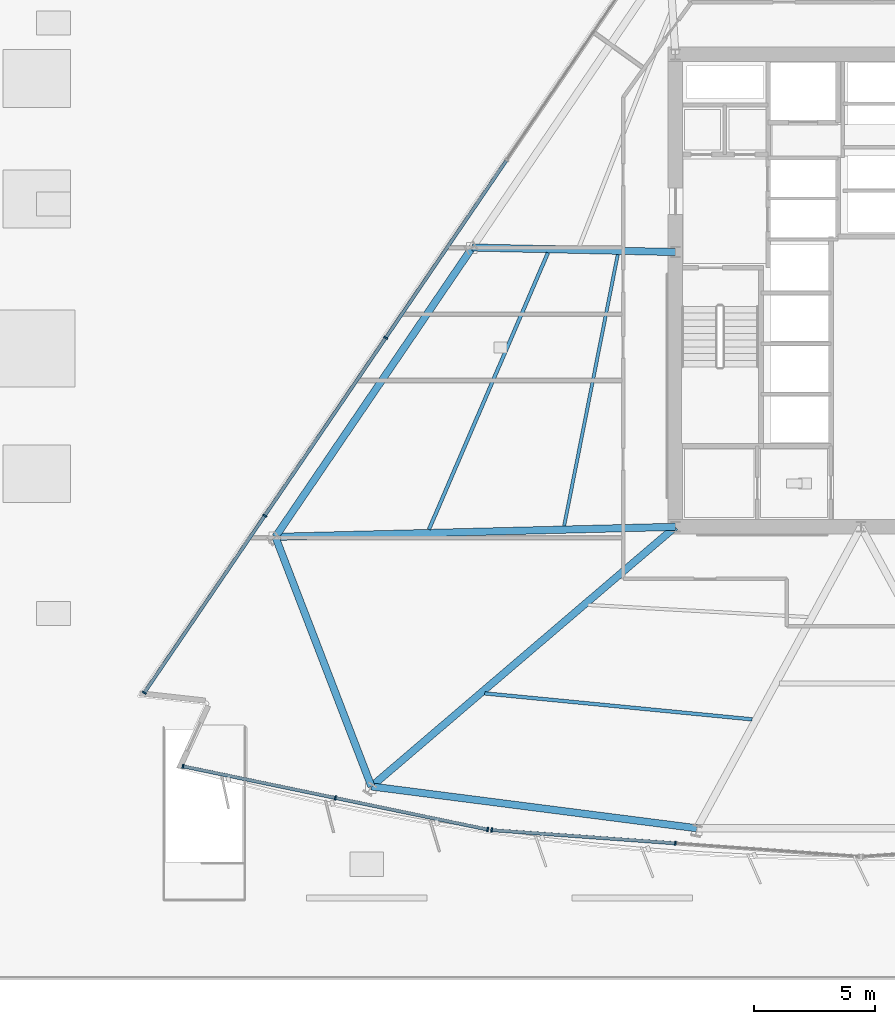
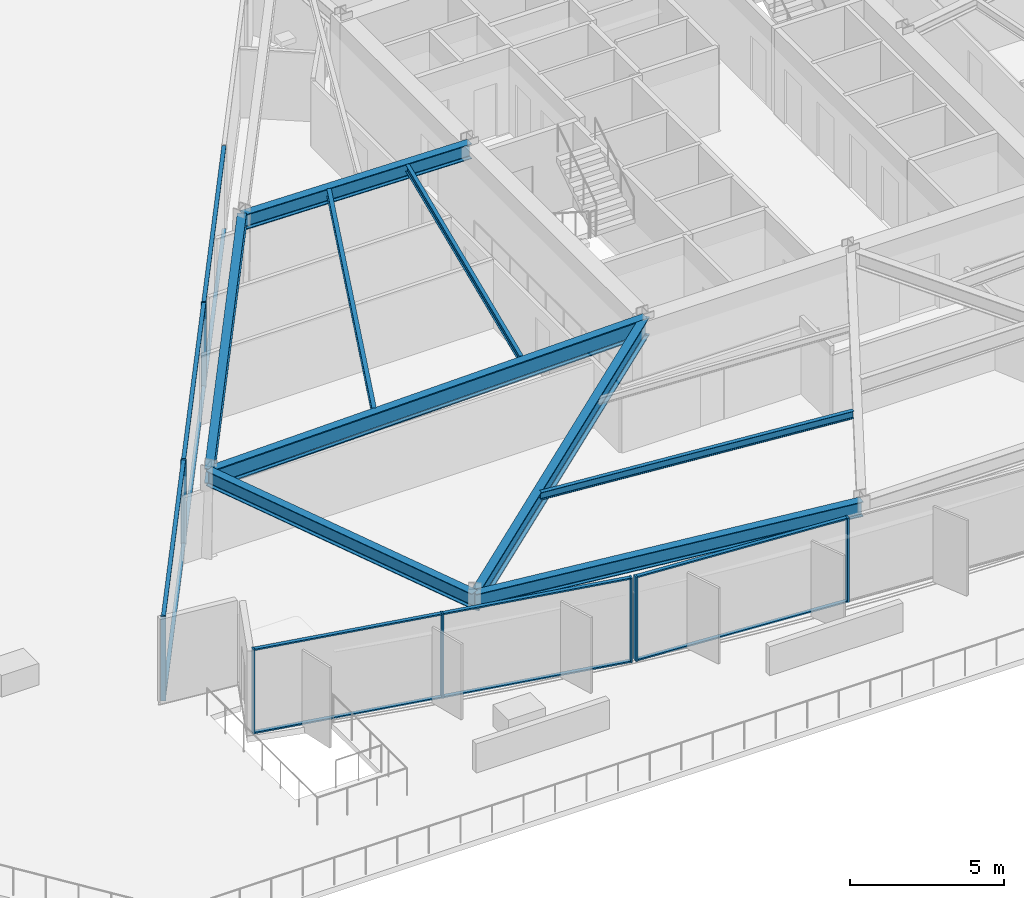
# One storey, part 2 of 19: 20 members, 9 beams, 3 elements without a shape of their own.
"""IFC4 building model written with IfcOpenShell, lengths in metres."""

import ifcopenshell
import ifcopenshell.guid

model = None  # the IFC model being written
_history = None  # IfcOwnerHistory: only IFC2X3 demands one
_inside = {}  # id of a spatial element -> (the spatial element, [elements in it])
_under = {}  # id of a project, library or spatial element -> (it, [spatial elements below it])
_declared = {}  # id of a project -> (the project, [libraries it declares])
_typed = {}  # id of a type object -> (the type object, [elements of that type])
_made_of = {}  # id of a material, layer set ... -> (it, [elements and type objects made of it])


def new_model(schema):
    """Start an empty IFC model of exactly this schema.

    Asked for "IFC4X3", IfcOpenShell would pick the latest addendum, in which some entities
    have other attributes; the version numbers below select the first issue.
    IFC2X3 requires an IfcOwnerHistory on every rooted entity: one is made here for all.
    """
    global model, _history
    if schema == "IFC4X3":
        model = ifcopenshell.file(schema_version=(4, 3, 0, 0))
    else:
        model = ifcopenshell.file(schema=schema)
    _inside.clear()
    _under.clear()
    _declared.clear()
    _typed.clear()
    _made_of.clear()
    _history = None
    if model.schema == "IFC2X3":
        org = make("IfcOrganization", Name="unknown")
        user = make(
            "IfcPersonAndOrganization",
            ThePerson=make("IfcPerson", FamilyName="unknown"),
            TheOrganization=org,
        )
        app = make(
            "IfcApplication",
            ApplicationDeveloper=org,
            Version="unknown",
            ApplicationFullName="unknown",
            ApplicationIdentifier="unknown",
        )
        _history = make(
            "IfcOwnerHistory",
            OwningUser=user,
            OwningApplication=app,
            ChangeAction="ADDED",
            CreationDate=0,
        )
    return model


def make(cls, **values):
    """One entity of the class cls with the attributes given. An attribute that is None is left unset."""
    return model.create_entity(
        cls, **{name: value for name, value in values.items() if value is not None}
    )


def rooted(cls, **values):
    """An entity with a GlobalId (a new one), such as an element, a storey or a relation."""
    return make(cls, GlobalId=ifcopenshell.guid.new(), OwnerHistory=_history, **values)


def si_unit(unit_type, name, prefix=None):
    """IfcSIUnit, for example si_unit("LENGTHUNIT", "METRE", prefix="MILLI")."""
    return make("IfcSIUnit", UnitType=unit_type, Prefix=prefix, Name=name)


def assignment(units):
    """IfcUnitAssignment: the units of a project."""
    return None if units is None else make("IfcUnitAssignment", Units=units)


def point(xyz):
    """IfcCartesianPoint."""
    return None if xyz is None else make("IfcCartesianPoint", Coordinates=xyz)


def direction(xyz):
    """IfcDirection."""
    return None if xyz is None else make("IfcDirection", DirectionRatios=xyz)


def frame(location, z_axis=None, x_axis=None):
    """IfcAxis2Placement3D, a coordinate frame: its origin and axes. An axis left out is left unset."""
    return make(
        "IfcAxis2Placement3D",
        Location=point(location),
        Axis=direction(z_axis),
        RefDirection=direction(x_axis),
    )


def frame_2d(location, x_axis=None):
    """IfcAxis2Placement2D, a coordinate frame in the plane: its origin and x axis."""
    return make(
        "IfcAxis2Placement2D", Location=point(location), RefDirection=direction(x_axis)
    )


def origin():
    """The frame at (0, 0, 0) with its axes left unset."""
    return frame((0.0, 0.0, 0.0))


def origin_2d():
    """The frame at (0, 0) in the plane with its x axis left unset."""
    return frame_2d((0.0, 0.0))


def place(relative_to, where):
    """IfcLocalPlacement: puts the frame where relative to a parent placement (None: the world)."""
    return make(
        "IfcLocalPlacement", PlacementRelTo=relative_to, RelativePlacement=where
    )


def context(
    kind, dimensions, precision=None, world=None, true_north=None, identifier=None
):
    """IfcGeometricRepresentationContext, for example the 3D "Model" context."""
    return make(
        "IfcGeometricRepresentationContext",
        ContextIdentifier=identifier,
        ContextType=kind,
        CoordinateSpaceDimension=dimensions,
        Precision=precision,
        WorldCoordinateSystem=world,
        TrueNorth=true_north,
    )


def subcontext(parent, identifier, kind, view, scale=None):
    """IfcGeometricRepresentationSubContext, for example "Body" below "Model"."""
    return make(
        "IfcGeometricRepresentationSubContext",
        ContextIdentifier=identifier,
        ContextType=kind,
        ParentContext=parent,
        TargetScale=scale,
        TargetView=view,
    )


def project(units=None, contexts=None):
    """IfcProject with its units and contexts."""
    return rooted(
        "IfcProject",
        Name="project",
        RepresentationContexts=contexts,
        UnitsInContext=assignment(units),
    )


def spatial(cls, under=None, at=None, **own):
    """A site, building, storey or space (cls), placed at a placement, below another one or the project."""
    s = rooted(cls, ObjectPlacement=at, **own)
    if under is not None:
        _under.setdefault(under.id(), (under, []))[1].append(s)
    return s


def profile(cls, at=None, kind="AREA", **sizes):
    """A parametric profile (cls). Its sizes go by their IFC names, for example OverallWidth=200.0."""
    return make(cls, ProfileType=kind, Position=at, **sizes)


def rectangle(**sizes):
    """IfcRectangleProfileDef."""
    return profile("IfcRectangleProfileDef", **sizes)


def i_section(**sizes):
    """IfcIShapeProfileDef."""
    return profile("IfcIShapeProfileDef", **sizes)


def extrude(swept, where, along, depth):
    """IfcExtrudedAreaSolid: the profile swept, set in the frame where, extruded along a direction by depth."""
    return make(
        "IfcExtrudedAreaSolid",
        SweptArea=swept,
        Position=where,
        ExtrudedDirection=direction(along),
        Depth=depth,
    )


def shape(context_of_items, identifier, shape_type, items):
    """IfcShapeRepresentation: the items that make up one representation, for example the "Body"."""
    return make(
        "IfcShapeRepresentation",
        ContextOfItems=context_of_items,
        RepresentationIdentifier=identifier,
        RepresentationType=shape_type,
        Items=items,
    )


def material(Name=None, Category=None):
    """IfcMaterial."""
    return make("IfcMaterial", Name=Name, Category=Category)


def material_profile(
    of_material, cross_section, Name=None, Category=None, Priority=None
):
    """IfcMaterialProfile: a cross section and its material."""
    return make(
        "IfcMaterialProfile",
        Name=Name,
        Material=of_material,
        Profile=cross_section,
        Priority=Priority,
        Category=Category,
    )


def profile_set(profiles, Name=None, composite=None):
    """IfcMaterialProfileSet."""
    return make(
        "IfcMaterialProfileSet",
        Name=Name,
        MaterialProfiles=profiles,
        CompositeProfile=composite,
    )


def made_of(thing, what):
    """Note that an element or type object is made of a material, layer set ...; save() writes the relation."""
    if what is not None:
        _made_of.setdefault(what.id(), (what, []))[1].append(thing)
    return thing


def type_object(cls, material=None, **own):
    """A type object (cls), such as IfcWallType, which elements share."""
    return made_of(rooted(cls, **own), material)


def element(
    cls,
    number,
    at=None,
    inside=None,
    cuts=None,
    type_object=None,
    material=None,
    context=None,
    identifier="Body",
    shape_type=None,
    held_by="IfcProductDefinitionShape",
    body=None,
    shapes=None,
    **own,
):
    """One element of the class cls, such as IfcWall. Its Tag is "e" and its number.

    at: its placement. inside: the storey or other place that contains it. cuts: it is an
    opening in that element (IfcRelVoidsElement). A single representation is given by context,
    identifier, shape_type and body (its items); several are given by shapes. held_by: the class
    of the entity that holds the representations. save() writes the other relations.
    """
    e = rooted(cls, Tag="e%d" % number, ObjectPlacement=at, **own)
    if body is not None:
        shapes = [shape(context, identifier, shape_type, body)]
    if shapes is not None:
        e.Representation = make(held_by, Representations=shapes)
    if inside is not None:
        _inside.setdefault(inside.id(), (inside, []))[1].append(e)
    if cuts is not None:
        rooted(
            "IfcRelVoidsElement", RelatingBuildingElement=cuts, RelatedOpeningElement=e
        )
    if type_object is not None:
        _typed.setdefault(type_object.id(), (type_object, []))[1].append(e)
    return made_of(e, material)


def aggregate(whole, parts):
    """IfcRelAggregates: a whole, such as a stair, and the parts it consists of."""
    return rooted("IfcRelAggregates", RelatingObject=whole, RelatedObjects=parts)


def save(model, path):
    """Write the relations noted so far, then the file.

    IfcRelAggregates (storeys below a building ...), IfcRelContainedInSpatialStructure (elements
    in a storey), IfcRelDefinesByType, IfcRelAssociatesMaterial and IfcRelDeclares: one each for
    every whole, place, type object, material and project.
    """
    for whole, parts in _under.values():
        aggregate(whole, parts)
    for where, things in _inside.values():
        rooted(
            "IfcRelContainedInSpatialStructure",
            RelatedElements=things,
            RelatingStructure=where,
        )
    for kind, things in _typed.values():
        rooted("IfcRelDefinesByType", RelatedObjects=things, RelatingType=kind)
    for what, things in _made_of.values():
        rooted("IfcRelAssociatesMaterial", RelatedObjects=things, RelatingMaterial=what)
    for by, libraries in _declared.values():
        rooted("IfcRelDeclares", RelatingContext=by, RelatedDefinitions=libraries)
    model.write(path)


model = new_model("IFC4")

# Units and contexts
model_context = context("Model", 3, precision=1e-05, world=origin(), true_north=direction((0.0, 1.0)))
body_context = subcontext(model_context, "Body", "Model", "MODEL_VIEW")
ifc_project = project(units=[si_unit("LENGTHUNIT", "METRE"), si_unit("AREAUNIT", "SQUARE_METRE"), si_unit("VOLUMEUNIT", "CUBIC_METRE"), si_unit("PLANEANGLEUNIT", "RADIAN"), si_unit("MASSUNIT", "GRAM", prefix="KILO")], contexts=[model_context])

# Site, building, storey
site_placement = place(None, origin())
site = spatial("IfcSite", under=ifc_project, at=site_placement, CompositionType="ELEMENT")
building_placement = place(site_placement, origin())
building = spatial("IfcBuilding", under=site, at=building_placement, Name="Savorim Split Tower", CompositionType="ELEMENT")
storey_placement = place(building_placement, frame((0.0, 0.0, 26.39990234375)))
storey = spatial("IfcBuildingStorey", under=building, at=storey_placement, Name="L06", CompositionType="ELEMENT", Elevation=26.39990234375)

# Beams
ifc_material_1 = material(Name="Steel S355", Category="steel")
ifc_material_profile_1 = material_profile(ifc_material_1, i_section(OverallWidth=0.135009765625, OverallDepth=0.27001953125, WebThickness=0.006591796875, FlangeThickness=0.01025390625, FilletRadius=0.014892578125, at=origin_2d()), Name="IPE 270")
ifc_profile_set_1 = profile_set([ifc_material_profile_1], Name="Steel S355")
beam_type_1 = type_object("IfcBeamType", Name="BM-JST-IPE270", PredefinedType="JOIST", material=ifc_profile_set_1)
beam_1_placement = place(storey_placement, frame((-10.0908203125, 1.8955078125, 3.215087890625), z_axis=(-0.19388123573, -0.981025008056, 0.0), x_axis=(0.981025008056, -0.19388123573, 0.0)))
element("IfcBeam", 1, at=beam_1_placement, inside=storey, type_object=beam_type_1, Name="L06 Secondary Floor Joist JS-11", PredefinedType="JOIST", context=body_context, shape_type="SweptSolid", body=[
    extrude(i_section(OverallWidth=0.135009765625, OverallDepth=0.27001953125, WebThickness=0.006591796875, FlangeThickness=0.01025390625, FilletRadius=0.014892578125, at=origin_2d()), origin(), (0.0, 0.0, 1.0), 11.472900390625),
])
ifc_material_profile_2 = material_profile(ifc_material_1, i_section(OverallWidth=0.14990234375, OverallDepth=0.300048828125, WebThickness=0.007080078125, FlangeThickness=0.0107421875, FilletRadius=0.014892578125, at=origin_2d()), Name="IPE 300")
ifc_profile_set_2 = profile_set([ifc_material_profile_2], Name="Steel S355")
beam_type_2 = type_object("IfcBeamType", Name="BM-JST-IPE300", PredefinedType="JOIST", material=ifc_profile_set_2)
beam_2_placement = place(storey_placement, frame((-15.611083984375, -16.309326171875, 3.2001953125), z_axis=(0.995310237289, -0.096734334898, 0.0), x_axis=(0.096734334898, 0.995310237289, 0.0)))
element("IfcBeam", 2, at=beam_2_placement, inside=storey, type_object=beam_type_2, Name="L06 Secondary Floor Joist JS-01", PredefinedType="JOIST", context=body_context, shape_type="SweptSolid", body=[
    extrude(i_section(OverallWidth=0.14990234375, OverallDepth=0.300048828125, WebThickness=0.007080078125, FlangeThickness=0.0107421875, FilletRadius=0.014892578125, at=origin_2d()), origin(), (0.0, 0.0, 1.0), 11.147705078125),
])
beam_3_placement = place(storey_placement, frame((-12.98828125, 1.969482421875, 3.2001953125), z_axis=(-0.395024783008, -0.918670463664, 0.0), x_axis=(0.918670463664, -0.395024783008, 0.0)))
element("IfcBeam", 3, at=beam_3_placement, inside=storey, type_object=beam_type_2, Name="L06 Secondary Floor Joist JS-10", PredefinedType="JOIST", context=body_context, shape_type="SweptSolid", body=[
    extrude(i_section(OverallWidth=0.14990234375, OverallDepth=0.300048828125, WebThickness=0.007080078125, FlangeThickness=0.0107421875, FilletRadius=0.014892578125, at=origin_2d()), origin(), (0.0, 0.0, 1.0), 12.497314453125),
])
ifc_material_profile_3 = material_profile(ifc_material_1, i_section(OverallWidth=0.300048828125, OverallDepth=0.60009765625, WebThickness=0.015380859375, FlangeThickness=0.030029296875, FilletRadius=0.027099609375, at=origin_2d()), Name="HEB 600")
ifc_profile_set_3 = profile_set([ifc_material_profile_3], Name="Steel S355")
beam_type_3 = type_object("IfcBeamType", Name="BM-PRI-HEB600", PredefinedType="BEAM", material=ifc_profile_set_3)
beam_4_placement = place(storey_placement, frame((-16.12744140625, 2.18798828125, 3.050048828125), z_axis=(0.999751301591, -0.022301008205, 0.0), x_axis=(0.022301008205, 0.999751301591, 0.0)))
element("IfcBeam", 4, at=beam_4_placement, inside=storey, type_object=beam_type_3, Name="L06 Primary Floor Girder RG-09", PredefinedType="BEAM", context=body_context, shape_type="SweptSolid", body=[
    extrude(i_section(OverallWidth=0.300048828125, OverallDepth=0.60009765625, WebThickness=0.015380859375, FlangeThickness=0.030029296875, FilletRadius=0.027099609375, at=origin_2d()), origin(), (0.0, 0.0, 1.0), 8.4296875),
])
ifc_material_2 = material(Name="Steel S460", Category="steel")
ifc_material_profile_4 = material_profile(ifc_material_2, i_section(OverallWidth=0.303955078125, OverallDepth=0.716064453125, WebThickness=0.02099609375, FlangeThickness=0.0400390625, FilletRadius=0.027099609375, at=origin_2d()), Name="HE 700 M")
ifc_profile_set_4 = profile_set([ifc_material_profile_4], Name="Steel S460")
beam_type_4 = type_object("IfcBeamType", Name="BM-PRI-HEM700", PredefinedType="BEAM", material=ifc_profile_set_4)
beam_5_placement = place(storey_placement, frame((-20.31005859375, -20.17138671875, 2.9921875), z_axis=(0.760363227356, 0.649498085051, 0.0), x_axis=(-0.649498085051, 0.760363227356, 0.0)))
element("IfcBeam", 5, at=beam_5_placement, inside=storey, type_object=beam_type_4, Name="L06 Primary Floor Girder RG-01", PredefinedType="BEAM", context=body_context, shape_type="SweptSolid", body=[
    extrude(i_section(OverallWidth=0.303955078125, OverallDepth=0.716064453125, WebThickness=0.02099609375, FlangeThickness=0.0400390625, FilletRadius=0.027099609375, at=origin_2d()), origin(), (0.0, 0.0, 1.0), 16.584228515625),
])
beam_6_placement = place(storey_placement, frame((-24.2939453125, -9.816650390625, 2.9921875), z_axis=(0.999684782803, 0.025106473896, 0.0), x_axis=(-0.025106473896, 0.999684782803, 0.0)))
element("IfcBeam", 6, at=beam_6_placement, inside=storey, type_object=beam_type_4, Name="L06 Primary Floor Girder RG-10", PredefinedType="BEAM", context=body_context, shape_type="SweptSolid", body=[
    extrude(i_section(OverallWidth=0.303955078125, OverallDepth=0.716064453125, WebThickness=0.02099609375, FlangeThickness=0.0400390625, FilletRadius=0.027099609375, at=origin_2d()), origin(), (0.0, 0.0, 1.0), 16.59912109375),
])
ifc_material_profile_5 = material_profile(ifc_material_1, i_section(OverallWidth=0.300048828125, OverallDepth=0.590087890625, WebThickness=0.012939453125, FlangeThickness=0.02490234375, FilletRadius=0.027099609375, at=origin_2d()), Name="HEA 600")
ifc_profile_set_5 = profile_set([ifc_material_profile_5], Name="Steel S355")
beam_type_5 = type_object("IfcBeamType", Name="BM-SPN-HEA600", PredefinedType="SPANDREL", material=ifc_profile_set_5)
beam_7_placement = place(storey_placement, frame((-20.31005859375, -20.17138671875, 3.05517578125), z_axis=(0.991856532178, -0.127360196198, 0.0), x_axis=(0.127360196198, 0.991856532178, 0.0)))
element("IfcBeam", 7, at=beam_7_placement, inside=storey, type_object=beam_type_5, Name="L06 Perimeter Spandrel Beam 1", PredefinedType="SPANDREL", context=body_context, shape_type="SweptSolid", body=[
    extrude(i_section(OverallWidth=0.300048828125, OverallDepth=0.590087890625, WebThickness=0.012939453125, FlangeThickness=0.02490234375, FilletRadius=0.027099609375, at=origin_2d()), origin(), (0.0, 0.0, 1.0), 13.614013671875),
])
beam_8_placement = place(storey_placement, frame((-16.12744140625, 2.18798828125, 3.05517578125), z_axis=(-0.56246776847, -0.826819212061, 0.0), x_axis=(0.826819212061, -0.56246776847, 0.0)))
element("IfcBeam", 8, at=beam_8_placement, inside=storey, type_object=beam_type_5, Name="L06 Perimeter Spandrel Beam 9", PredefinedType="SPANDREL", context=body_context, shape_type="SweptSolid", body=[
    extrude(i_section(OverallWidth=0.300048828125, OverallDepth=0.590087890625, WebThickness=0.012939453125, FlangeThickness=0.02490234375, FilletRadius=0.027099609375, at=origin_2d()), origin(), (0.0, 0.0, 1.0), 14.51904296875),
])
beam_9_placement = place(storey_placement, frame((-24.2939453125, -9.816650390625, 3.05517578125), z_axis=(0.35908082286, -0.933306467702, 0.0), x_axis=(0.933306467702, 0.35908082286, 0.0)))
element("IfcBeam", 9, at=beam_9_placement, inside=storey, type_object=beam_type_5, Name="L06 Perimeter Spandrel Beam 10", PredefinedType="SPANDREL", context=body_context, shape_type="SweptSolid", body=[
    extrude(i_section(OverallWidth=0.300048828125, OverallDepth=0.590087890625, WebThickness=0.012939453125, FlangeThickness=0.02490234375, FilletRadius=0.027099609375, at=origin_2d()), origin(), (0.0, 0.0, 1.0), 11.0947265625),
])

# Curtain wall, members
ifc_material_3 = material(Name="Dark Ceramic-Fritted Insulated Glass", Category="glass")
curtain_wall_type = type_object("IfcCurtainWallType", Name="CW-TWR-FRIT-A", PredefinedType="NOTDEFINED", material=ifc_material_3)
curtain_wall_1_placement = place(storey_placement, origin())
curtain_wall_1 = element("IfcCurtainWall", 10, at=curtain_wall_1_placement, inside=storey, type_object=curtain_wall_type, Name="L06 Curtain Wall CW-L06-SF1", PredefinedType="NOTDEFINED")
ifc_material_4 = material(Name="Charcoal Anodised Aluminium", Category="aluminium")
ifc_material_profile_6 = material_profile(ifc_material_4, rectangle(XDim=0.179931640625, YDim=0.06494140625, at=origin_2d()), Name="ALU-M 180x65")
ifc_profile_set_6 = profile_set([ifc_material_profile_6], Name="Charcoal Anodised Aluminium")
member_type_1 = type_object("IfcMemberType", Name="CWM-180x65", PredefinedType="MULLION", material=ifc_profile_set_6)
member_1_placement = place(storey_placement, frame((-28.12841796875, -19.333740234375, 0.0), z_axis=(0.0, 0.0, 1.0), x_axis=(0.203210322793, 0.979135110549, 0.0)))
member_1 = element("IfcMember", 11, at=member_1_placement, type_object=member_type_1, Name="CW-02 mullion 1", PredefinedType="MULLION", context=body_context, shape_type="SweptSolid", body=[
    extrude(rectangle(XDim=0.179931640625, YDim=0.06494140625, at=origin_2d()), origin(), (0.0, 0.0, 1.0), 3.35009765625),
])
member_2_placement = place(storey_placement, frame((-21.807861328125, -20.6455078125, 0.0), z_axis=(0.0, 0.0, 1.0), x_axis=(0.203210322793, 0.979135110549, 0.0)))
member_2 = element("IfcMember", 12, at=member_2_placement, type_object=member_type_1, Name="CW-02 mullion 2", PredefinedType="MULLION", context=body_context, shape_type="SweptSolid", body=[
    extrude(rectangle(XDim=0.179931640625, YDim=0.06494140625, at=origin_2d()), origin(), (0.0, 0.0, 1.0), 3.35009765625),
])
member_3_placement = place(storey_placement, frame((-15.487548828125, -21.957275390625, 0.0), z_axis=(0.0, 0.0, 1.0), x_axis=(0.203210322793, 0.979135110549, 0.0)))
member_3 = element("IfcMember", 13, at=member_3_placement, type_object=member_type_1, Name="CW-02 mullion 3", PredefinedType="MULLION", context=body_context, shape_type="SweptSolid", body=[
    extrude(rectangle(XDim=0.179931640625, YDim=0.06494140625, at=origin_2d()), origin(), (0.0, 0.0, 1.0), 3.35009765625),
])

curtain_wall_2_placement = place(storey_placement, origin())
curtain_wall_2 = element("IfcCurtainWall", 14, at=curtain_wall_2_placement, inside=storey, type_object=curtain_wall_type, Name="L06 Curtain Wall CW-L06-SF2", PredefinedType="NOTDEFINED")
member_4_placement = place(storey_placement, frame((-15.320556640625, -21.98046875, 0.0), z_axis=(0.0, 0.0, 1.0), x_axis=(0.071560199658, 0.997436282589, 0.0)))
member_4 = element("IfcMember", 15, at=member_4_placement, type_object=member_type_1, Name="CW-02 mullion 1", PredefinedType="MULLION", context=body_context, shape_type="SweptSolid", body=[
    extrude(rectangle(XDim=0.179931640625, YDim=0.06494140625, at=origin_2d()), origin(), (0.0, 0.0, 1.0), 3.35009765625),
])
member_5_placement = place(storey_placement, frame((-7.7021484375, -22.527099609375, 0.0), z_axis=(0.0, 0.0, 1.0), x_axis=(0.071560199658, 0.997436282589, 0.0)))
member_5 = element("IfcMember", 16, at=member_5_placement, type_object=member_type_1, Name="CW-02 mullion 2", PredefinedType="MULLION", context=body_context, shape_type="SweptSolid", body=[
    extrude(rectangle(XDim=0.179931640625, YDim=0.06494140625, at=origin_2d()), origin(), (0.0, 0.0, 1.0), 3.35009765625),
])

curtain_wall_3_placement = place(storey_placement, origin())
curtain_wall_3 = element("IfcCurtainWall", 17, at=curtain_wall_3_placement, inside=storey, type_object=curtain_wall_type, Name="L06 Curtain Wall CW-L06-WEST", PredefinedType="NOTDEFINED")
member_6_placement = place(storey_placement, frame((-19.718017578125, -1.55908203125, 0.0), z_axis=(0.0, 0.0, 1.0), x_axis=(0.826820923165, -0.562465253164, 0.0)))
member_6 = element("IfcMember", 18, at=member_6_placement, type_object=member_type_1, Name="CW-02 mullion 3", PredefinedType="MULLION", context=body_context, shape_type="SweptSolid", body=[
    extrude(rectangle(XDim=0.179931640625, YDim=0.06494140625, at=origin_2d()), origin(), (0.0, 0.0, 1.0), 3.35009765625),
])
member_7_placement = place(storey_placement, frame((-24.735107421875, -8.93408203125, 0.0), z_axis=(0.0, 0.0, 1.0), x_axis=(0.826820923165, -0.562465253164, 0.0)))
member_7 = element("IfcMember", 19, at=member_7_placement, type_object=member_type_1, Name="CW-02 mullion 4", PredefinedType="MULLION", context=body_context, shape_type="SweptSolid", body=[
    extrude(rectangle(XDim=0.179931640625, YDim=0.06494140625, at=origin_2d()), origin(), (0.0, 0.0, 1.0), 3.35009765625),
])
member_8_placement = place(storey_placement, frame((-29.73388671875, -16.2822265625, 0.0), z_axis=(0.0, 0.0, 1.0), x_axis=(0.826820923165, -0.562465253164, 0.0)))
member_8 = element("IfcMember", 20, at=member_8_placement, type_object=member_type_1, Name="CW-02 mullion 5", PredefinedType="MULLION", context=body_context, shape_type="SweptSolid", body=[
    extrude(rectangle(XDim=0.179931640625, YDim=0.06494140625, at=origin_2d()), origin(), (0.0, 0.0, 1.0), 3.35009765625),
])

# Member
ifc_material_profile_7 = material_profile(ifc_material_4, rectangle(XDim=0.139892578125, YDim=0.054931640625, at=origin_2d()), Name="ALU-T 140x55")
ifc_profile_set_7 = profile_set([ifc_material_profile_7], Name="Charcoal Anodised Aluminium")
member_type_2 = type_object("IfcMemberType", Name="CWT-140x55", PredefinedType="USERDEFINED", material=ifc_profile_set_7)
member_9_placement = place(storey_placement, frame((-28.096435546875, -19.34033203125, 0.027587890625), z_axis=(0.979132403047, -0.203223368003, 0.0), x_axis=(0.203223368003, 0.979132403047, 0.0)))
member_9 = element("IfcMember", 21, at=member_9_placement, type_object=member_type_2, Name="CW-02 transom 1.1", ObjectType="TRANSOM", PredefinedType="USERDEFINED", context=body_context, shape_type="SweptSolid", body=[
    extrude(rectangle(XDim=0.139892578125, YDim=0.054931640625, at=origin_2d()), origin(), (0.0, 0.0, 1.0), 6.389892578125),
])

member_10_placement = place(storey_placement, frame((-28.096435546875, -19.34033203125, 3.322509765625), z_axis=(0.979132403047, -0.203223368003, 0.0), x_axis=(0.203223368003, 0.979132403047, 0.0)))
member_10 = element("IfcMember", 22, at=member_10_placement, type_object=member_type_2, Name="CW-02 transom 1.2", ObjectType="TRANSOM", PredefinedType="USERDEFINED", context=body_context, shape_type="SweptSolid", body=[
    extrude(rectangle(XDim=0.139892578125, YDim=0.054931640625, at=origin_2d()), origin(), (0.0, 0.0, 1.0), 6.389892578125),
])

member_11_placement = place(storey_placement, frame((-21.776123046875, -20.652099609375, 0.027587890625), z_axis=(0.979133980901, -0.203215765741, 0.0), x_axis=(0.203215765741, 0.979133980901, 0.0)))
member_11 = element("IfcMember", 23, at=member_11_placement, type_object=member_type_2, Name="CW-02 transom 2.1", ObjectType="TRANSOM", PredefinedType="USERDEFINED", context=body_context, shape_type="SweptSolid", body=[
    extrude(rectangle(XDim=0.139892578125, YDim=0.054931640625, at=origin_2d()), origin(), (0.0, 0.0, 1.0), 6.39013671875),
])

member_12_placement = place(storey_placement, frame((-21.776123046875, -20.652099609375, 3.322509765625), z_axis=(0.979133980901, -0.203215765741, 0.0), x_axis=(0.203215765741, 0.979133980901, 0.0)))
member_12 = element("IfcMember", 24, at=member_12_placement, type_object=member_type_2, Name="CW-02 transom 2.2", ObjectType="TRANSOM", PredefinedType="USERDEFINED", context=body_context, shape_type="SweptSolid", body=[
    extrude(rectangle(XDim=0.139892578125, YDim=0.054931640625, at=origin_2d()), origin(), (0.0, 0.0, 1.0), 6.39013671875),
])

aggregate(curtain_wall_1, [member_1, member_2, member_3, member_9, member_10, member_11, member_12])

member_13_placement = place(storey_placement, frame((-15.2880859375, -21.98291015625, 0.027587890625), z_axis=(0.997437873969, -0.071538014879, 0.0), x_axis=(0.071538014879, 0.997437873969, 0.0)))
member_13 = element("IfcMember", 25, at=member_13_placement, type_object=member_type_2, Name="CW-02 transom 1.1", ObjectType="TRANSOM", PredefinedType="USERDEFINED", context=body_context, shape_type="SweptSolid", body=[
    extrude(rectangle(XDim=0.139892578125, YDim=0.054931640625, at=origin_2d()), origin(), (0.0, 0.0, 1.0), 7.57275390625),
])

member_14_placement = place(storey_placement, frame((-15.2880859375, -21.98291015625, 3.322509765625), z_axis=(0.997437873969, -0.071538014879, 0.0), x_axis=(0.071538014879, 0.997437873969, 0.0)))
member_14 = element("IfcMember", 26, at=member_14_placement, type_object=member_type_2, Name="CW-02 transom 1.2", ObjectType="TRANSOM", PredefinedType="USERDEFINED", context=body_context, shape_type="SweptSolid", body=[
    extrude(rectangle(XDim=0.139892578125, YDim=0.054931640625, at=origin_2d()), origin(), (0.0, 0.0, 1.0), 7.57275390625),
])

aggregate(curtain_wall_2, [member_4, member_5, member_13, member_14])

member_15_placement = place(storey_placement, frame((-14.71923828125, 5.7890625, 0.027587890625), z_axis=(-0.562463858464, -0.826821871942, 0.0), x_axis=(0.826821871942, -0.562463858464, 0.0)))
member_15 = element("IfcMember", 27, at=member_15_placement, type_object=member_type_2, Name="CW-02 transom 2.1", ObjectType="TRANSOM", PredefinedType="USERDEFINED", context=body_context, shape_type="SweptSolid", body=[
    extrude(rectangle(XDim=0.139892578125, YDim=0.054931640625, at=origin_2d()), origin(), (0.0, 0.0, 1.0), 8.854736328125),
])

member_16_placement = place(storey_placement, frame((-14.71923828125, 5.7890625, 3.322509765625), z_axis=(-0.562463858464, -0.826821871942, 0.0), x_axis=(0.826821871942, -0.562463858464, 0.0)))
member_16 = element("IfcMember", 28, at=member_16_placement, type_object=member_type_2, Name="CW-02 transom 2.2", ObjectType="TRANSOM", PredefinedType="USERDEFINED", context=body_context, shape_type="SweptSolid", body=[
    extrude(rectangle(XDim=0.139892578125, YDim=0.054931640625, at=origin_2d()), origin(), (0.0, 0.0, 1.0), 8.854736328125),
])

member_17_placement = place(storey_placement, frame((-19.736328125, -1.5859375, 0.027587890625), z_axis=(-0.562463858464, -0.826821871942, 0.0), x_axis=(0.826821871942, -0.562463858464, 0.0)))
member_17 = element("IfcMember", 29, at=member_17_placement, type_object=member_type_2, Name="CW-02 transom 3.1", ObjectType="TRANSOM", PredefinedType="USERDEFINED", context=body_context, shape_type="SweptSolid", body=[
    extrude(rectangle(XDim=0.139892578125, YDim=0.054931640625, at=origin_2d()), origin(), (0.0, 0.0, 1.0), 8.854736328125),
])

member_18_placement = place(storey_placement, frame((-19.736328125, -1.5859375, 3.322509765625), z_axis=(-0.562463858464, -0.826821871942, 0.0), x_axis=(0.826821871942, -0.562463858464, 0.0)))
member_18 = element("IfcMember", 30, at=member_18_placement, type_object=member_type_2, Name="CW-02 transom 3.2", ObjectType="TRANSOM", PredefinedType="USERDEFINED", context=body_context, shape_type="SweptSolid", body=[
    extrude(rectangle(XDim=0.139892578125, YDim=0.054931640625, at=origin_2d()), origin(), (0.0, 0.0, 1.0), 8.854736328125),
])

member_19_placement = place(storey_placement, frame((-24.75341796875, -8.9609375, 0.027587890625), z_axis=(-0.562460641037, -0.826824060659, 0.0), x_axis=(0.826824060659, -0.562460641037, 0.0)))
member_19 = element("IfcMember", 31, at=member_19_placement, type_object=member_type_2, Name="CW-02 transom 4.1", ObjectType="TRANSOM", PredefinedType="USERDEFINED", context=body_context, shape_type="SweptSolid", body=[
    extrude(rectangle(XDim=0.139892578125, YDim=0.054931640625, at=origin_2d()), origin(), (0.0, 0.0, 1.0), 8.822265625),
])

member_20_placement = place(storey_placement, frame((-24.75341796875, -8.9609375, 3.322509765625), z_axis=(-0.562460641037, -0.826824060659, 0.0), x_axis=(0.826824060659, -0.562460641037, 0.0)))
member_20 = element("IfcMember", 32, at=member_20_placement, type_object=member_type_2, Name="CW-02 transom 4.2", ObjectType="TRANSOM", PredefinedType="USERDEFINED", context=body_context, shape_type="SweptSolid", body=[
    extrude(rectangle(XDim=0.139892578125, YDim=0.054931640625, at=origin_2d()), origin(), (0.0, 0.0, 1.0), 8.822265625),
])

aggregate(curtain_wall_3, [member_6, member_7, member_8, member_15, member_16, member_17, member_18, member_19, member_20])

save(model, "model.ifc")
